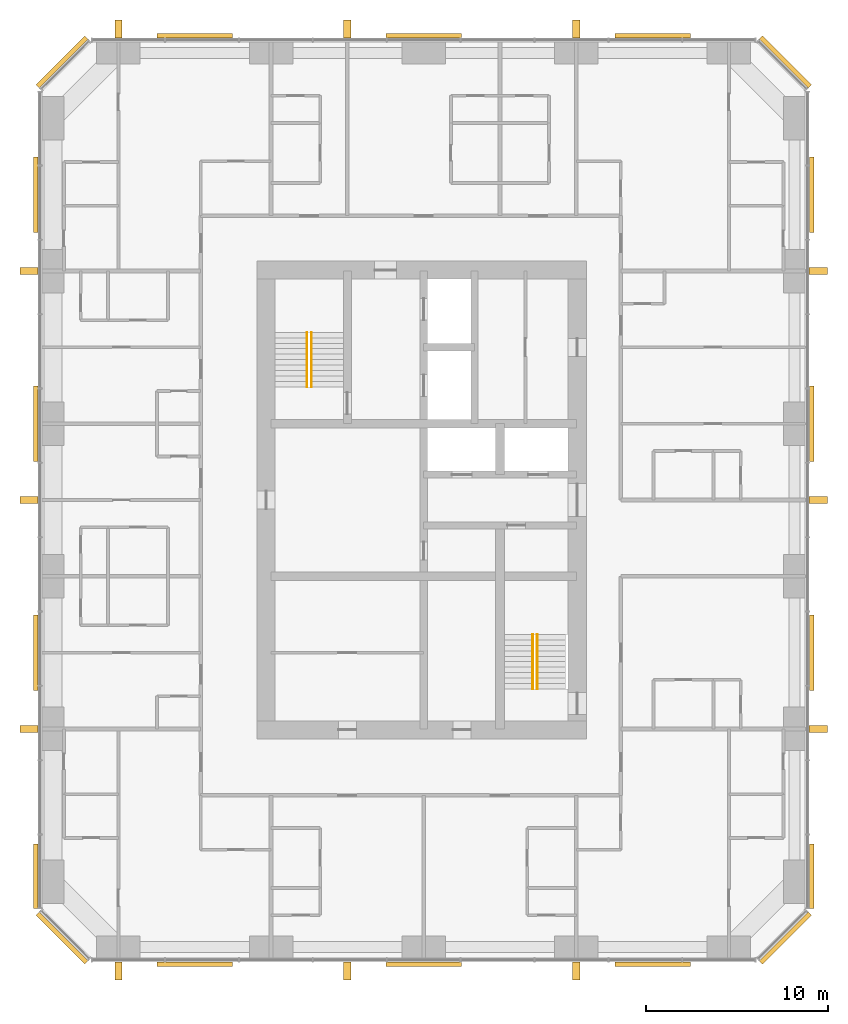
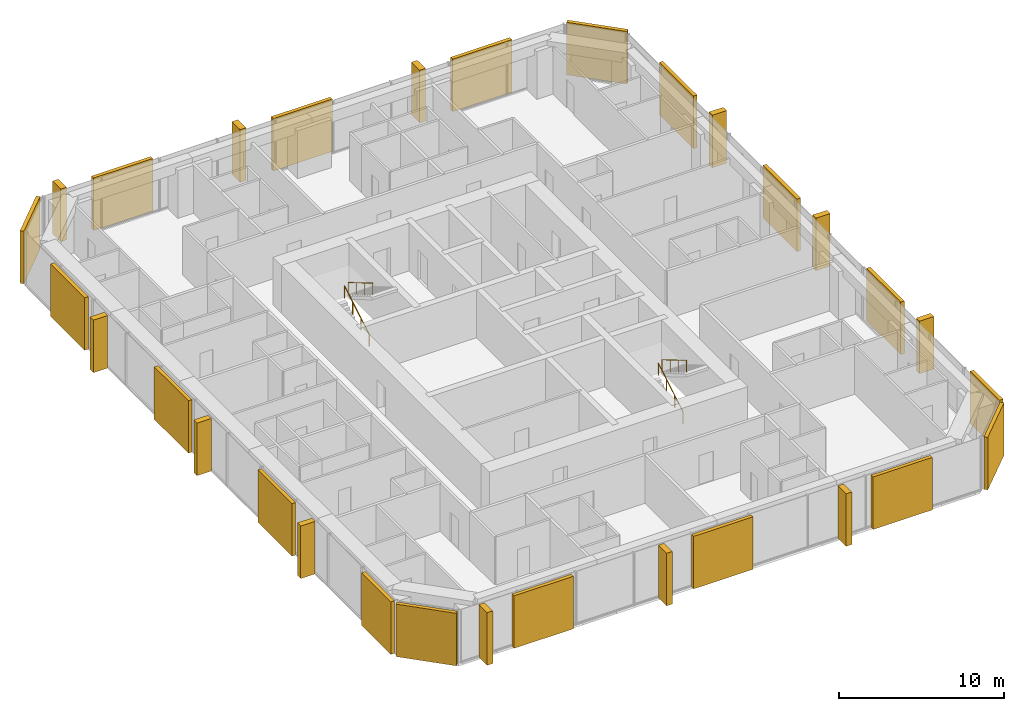
# One storey, part 12 of 12: 18 coverings, 12 shading devices, 4 railings.
"""IFC4 building model written with IfcOpenShell, lengths in metres."""

from ifc_helpers import new_model, si_unit, direction, frame, origin, origin_2d, place, context, subcontext, project, spatial, rectangle, circle, extrude, material, layer, layer_set, type_object, element, save


model = new_model("IFC4")

# Units and contexts
model_context = context("Model", 3, precision=1e-05, world=origin(), true_north=direction((0.0, 1.0)))
body_context = subcontext(model_context, "Body", "Model", "MODEL_VIEW")
ifc_project = project(units=[si_unit("LENGTHUNIT", "METRE"), si_unit("AREAUNIT", "SQUARE_METRE"), si_unit("VOLUMEUNIT", "CUBIC_METRE"), si_unit("PLANEANGLEUNIT", "RADIAN"), si_unit("MASSUNIT", "GRAM", prefix="KILO")], contexts=[model_context])

# Site, building, storey
site_placement = place(None, origin())
site = spatial("IfcSite", under=ifc_project, at=site_placement, CompositionType="ELEMENT")
building_placement = place(site_placement, origin())
building = spatial("IfcBuilding", under=site, at=building_placement, Name="Dunama Terrace Hotel", CompositionType="ELEMENT")
storey_placement = place(building_placement, frame((0.0, 0.0, 229.5)))
storey = spatial("IfcBuildingStorey", under=building, at=storey_placement, Name="L59", CompositionType="ELEMENT", Elevation=229.5)

# Railings
ifc_material_1 = material(Name="Stainless steel handrail", Category="steel")
railing_type = type_object("IfcRailingType", Name="Stair handrail 900", PredefinedType="HANDRAIL", material=ifc_material_1)
railing_1_placement = place(storey_placement, frame((27.175048828125, 35.625, 0.17724609375)))
element("IfcRailing", 1, at=railing_1_placement, inside=storey, type_object=railing_type, Name="Handrail ST1 L59", PredefinedType="HANDRAIL", context=body_context, shape_type="SweptSolid", body=[
    extrude(circle(Radius=0.02392578125, at=origin_2d()), frame((0.0, 0.0, 0.8759765625), z_axis=(0.0, 0.86092931783, 0.508724591208), x_axis=(-1.0, 0.0, 0.0)), (0.0, 0.0, 1.0), 3.484619140625),
    extrude(circle(Radius=0.02099609375, at=origin_2d()), origin(), (0.0, 0.0, 1.0), 0.851806640625),
    extrude(circle(Radius=0.02099609375, at=origin_2d()), frame((0.0, 1.0, 0.5908203125)), (0.0, 0.0, 1.0), 0.851806640625),
    extrude(circle(Radius=0.02099609375, at=origin_2d()), frame((0.0, 2.0, 1.181884765625)), (0.0, 0.0, 1.0), 0.851806640625),
    extrude(circle(Radius=0.02099609375, at=origin_2d()), frame((0.0, 3.0, 1.772705078125)), (0.0, 0.0, 1.0), 0.851806640625),
])
railing_2_placement = place(storey_placement, frame((27.425048828125, 38.625, 2.127197265625)))
element("IfcRailing", 2, at=railing_2_placement, inside=storey, type_object=railing_type, Name="Handrail ST1 L59", PredefinedType="HANDRAIL", context=body_context, shape_type="SweptSolid", body=[
    extrude(circle(Radius=0.02392578125, at=origin_2d()), frame((0.0, 0.0, 0.8759765625), z_axis=(0.0, -0.86092931783, 0.508724591208), x_axis=(1.0, 0.0, 0.0)), (0.0, 0.0, 1.0), 3.484619140625),
    extrude(circle(Radius=0.02099609375, at=origin_2d()), origin(), (0.0, 0.0, 1.0), 0.851806640625),
    extrude(circle(Radius=0.02099609375, at=origin_2d()), frame((0.0, -1.0, 0.5908203125)), (0.0, 0.0, 1.0), 0.851806640625),
    extrude(circle(Radius=0.02099609375, at=origin_2d()), frame((0.0, -2.0, 1.181884765625)), (0.0, 0.0, 1.0), 0.851806640625),
    extrude(circle(Radius=0.02099609375, at=origin_2d()), frame((0.0, -3.0, 1.772705078125)), (0.0, 0.0, 1.0), 0.851806640625),
])
railing_3_placement = place(storey_placement, frame((39.60009765625, 19.0, 0.17724609375)))
element("IfcRailing", 3, at=railing_3_placement, inside=storey, type_object=railing_type, Name="Handrail ST2 L59", PredefinedType="HANDRAIL", context=body_context, shape_type="SweptSolid", body=[
    extrude(circle(Radius=0.02392578125, at=origin_2d()), frame((0.0, 0.0, 0.8759765625), z_axis=(0.0, 0.86092931783, 0.508724591208), x_axis=(-1.0, 0.0, 0.0)), (0.0, 0.0, 1.0), 3.484619140625),
    extrude(circle(Radius=0.02099609375, at=origin_2d()), origin(), (0.0, 0.0, 1.0), 0.851806640625),
    extrude(circle(Radius=0.02099609375, at=origin_2d()), frame((0.0, 1.0, 0.5908203125)), (0.0, 0.0, 1.0), 0.851806640625),
    extrude(circle(Radius=0.02099609375, at=origin_2d()), frame((0.0, 2.0, 1.181884765625)), (0.0, 0.0, 1.0), 0.851806640625),
    extrude(circle(Radius=0.02099609375, at=origin_2d()), frame((0.0, 3.0, 1.772705078125)), (0.0, 0.0, 1.0), 0.851806640625),
])
railing_4_placement = place(storey_placement, frame((39.85009765625, 22.0, 2.127197265625)))
element("IfcRailing", 4, at=railing_4_placement, inside=storey, type_object=railing_type, Name="Handrail ST2 L59", PredefinedType="HANDRAIL", context=body_context, shape_type="SweptSolid", body=[
    extrude(circle(Radius=0.02392578125, at=origin_2d()), frame((0.0, 0.0, 0.8759765625), z_axis=(0.0, -0.86092931783, 0.508724591208), x_axis=(1.0, 0.0, 0.0)), (0.0, 0.0, 1.0), 3.484619140625),
    extrude(circle(Radius=0.02099609375, at=origin_2d()), origin(), (0.0, 0.0, 1.0), 0.851806640625),
    extrude(circle(Radius=0.02099609375, at=origin_2d()), frame((0.0, -1.0, 0.5908203125)), (0.0, 0.0, 1.0), 0.851806640625),
    extrude(circle(Radius=0.02099609375, at=origin_2d()), frame((0.0, -2.0, 1.181884765625)), (0.0, 0.0, 1.0), 0.851806640625),
    extrude(circle(Radius=0.02099609375, at=origin_2d()), frame((0.0, -3.0, 1.772705078125)), (0.0, 0.0, 1.0), 0.851806640625),
])

# Coverings
ifc_material_2 = material(Name="Warm reconstituted stone panel", Category="masonry")
ifc_layer_1 = layer(ifc_material_2, 0.25)
ifc_layer_set_1 = layer_set([ifc_layer_1], Name="Stone diagonal panel")
covering_type = type_object("IfcCoveringType", Name="Stone diagonal panel", PredefinedType="CLADDING", material=ifc_layer_set_1)
for number, where, z_axis, x_axis, name in (
    (5, (21.0, 3.8369140625, 0.001953125), (0.0, 0.0, 1.0), (1.0, 0.0, 0.0), "Stone diagonal panel L59"),
    (6, (33.60009765625, 3.8369140625, 0.001953125), (0.0, 0.0, 1.0), (1.0, 0.0, 0.0), "Stone diagonal panel L59"),
    (7, (46.199951171875, 3.8369140625, 0.001953125), (0.0, 0.0, 1.0), (1.0, 0.0, 0.0), "Stone diagonal panel L59"),
):
    element("IfcCovering", number, at=place(storey_placement, frame(where, z_axis=z_axis, x_axis=x_axis)), inside=storey, type_object=covering_type, Name=name, PredefinedType="CLADDING", context=body_context, shape_type="SweptSolid", body=[
        extrude(rectangle(XDim=4.14990234375, YDim=0.25, at=origin_2d()), origin(), (0.0, 0.0, 1.0), 3.89599609375),
    ])
covering_1_placement = place(storey_placement, frame((53.507080078125, 5.29296875, 0.001953125), z_axis=(0.0, 0.0, 1.0), x_axis=(0.707106781187, 0.707106781187, 0.0)))
element("IfcCovering", 8, at=covering_1_placement, inside=storey, type_object=covering_type, Name="Stone diagonal panel L59", PredefinedType="CLADDING", context=body_context, shape_type="SweptSolid", body=[
    extrude(rectangle(XDim=3.808349609375, YDim=0.25, at=origin_2d()), origin(), (0.0, 0.0, 1.0), 3.89599609375),
])
covering_2_placement = place(storey_placement, frame((54.962890625, 8.68994140625, 0.001953125), z_axis=(0.0, 0.0, 1.0), x_axis=(0.0, 1.0, 0.0)))
element("IfcCovering", 9, at=covering_2_placement, inside=storey, type_object=covering_type, Name="Stone diagonal panel L59", PredefinedType="CLADDING", context=body_context, shape_type="SweptSolid", body=[
    extrude(rectangle(XDim=3.570068359375, YDim=0.25, at=origin_2d()), origin(), (0.0, 0.0, 1.0), 3.89599609375),
])
for number, where, z_axis, x_axis, name in (
    (10, (54.962890625, 21.0, 0.001953125), (0.0, 0.0, 1.0), (0.0, 1.0, 0.0), "Stone diagonal panel L59"),
    (11, (54.962890625, 33.60009765625, 0.001953125), (0.0, 0.0, 1.0), (0.0, 1.0, 0.0), "Stone diagonal panel L59"),
    (12, (54.962890625, 46.199951171875, 0.001953125), (0.0, 0.0, 1.0), (0.0, 1.0, 0.0), "Stone diagonal panel L59"),
):
    element("IfcCovering", number, at=place(storey_placement, frame(where, z_axis=z_axis, x_axis=x_axis)), inside=storey, type_object=covering_type, Name=name, PredefinedType="CLADDING", context=body_context, shape_type="SweptSolid", body=[
        extrude(rectangle(XDim=4.14990234375, YDim=0.25, at=origin_2d()), origin(), (0.0, 0.0, 1.0), 3.89599609375),
    ])
covering_3_placement = place(storey_placement, frame((53.507080078125, 53.507080078125, 0.001953125), z_axis=(0.0, 0.0, 1.0), x_axis=(-0.707106781187, 0.707106781187, 0.0)))
element("IfcCovering", 13, at=covering_3_placement, inside=storey, type_object=covering_type, Name="Stone diagonal panel L59", PredefinedType="CLADDING", context=body_context, shape_type="SweptSolid", body=[
    extrude(rectangle(XDim=3.808349609375, YDim=0.25, at=origin_2d()), origin(), (0.0, 0.0, 1.0), 3.89599609375),
])
for number, where, z_axis, x_axis, name in (
    (14, (46.199951171875, 54.962890625, 0.001953125), (0.0, 0.0, 1.0), (-1.0, 0.0, 0.0), "Stone diagonal panel L59"),
    (15, (33.60009765625, 54.962890625, 0.001953125), (0.0, 0.0, 1.0), (-1.0, 0.0, 0.0), "Stone diagonal panel L59"),
    (16, (21.0, 54.962890625, 0.001953125), (0.0, 0.0, 1.0), (-1.0, 0.0, 0.0), "Stone diagonal panel L59"),
):
    element("IfcCovering", number, at=place(storey_placement, frame(where, z_axis=z_axis, x_axis=x_axis)), inside=storey, type_object=covering_type, Name=name, PredefinedType="CLADDING", context=body_context, shape_type="SweptSolid", body=[
        extrude(rectangle(XDim=4.14990234375, YDim=0.25, at=origin_2d()), origin(), (0.0, 0.0, 1.0), 3.89599609375),
    ])
covering_4_placement = place(storey_placement, frame((13.693115234375, 53.507080078125, 0.001953125), z_axis=(0.0, 0.0, 1.0), x_axis=(-0.707106781187, -0.707106781187, 0.0)))
element("IfcCovering", 17, at=covering_4_placement, inside=storey, type_object=covering_type, Name="Stone diagonal panel L59", PredefinedType="CLADDING", context=body_context, shape_type="SweptSolid", body=[
    extrude(rectangle(XDim=3.808349609375, YDim=0.25, at=origin_2d()), origin(), (0.0, 0.0, 1.0), 3.89599609375),
])
for number, where, z_axis, x_axis, name in (
    (18, (12.237060546875, 46.199951171875, 0.001953125), (0.0, 0.0, 1.0), (0.0, -1.0, 0.0), "Stone diagonal panel L59"),
    (19, (12.237060546875, 33.60009765625, 0.001953125), (0.0, 0.0, 1.0), (0.0, -1.0, 0.0), "Stone diagonal panel L59"),
    (20, (12.237060546875, 21.0, 0.001953125), (0.0, 0.0, 1.0), (0.0, -1.0, 0.0), "Stone diagonal panel L59"),
):
    element("IfcCovering", number, at=place(storey_placement, frame(where, z_axis=z_axis, x_axis=x_axis)), inside=storey, type_object=covering_type, Name=name, PredefinedType="CLADDING", context=body_context, shape_type="SweptSolid", body=[
        extrude(rectangle(XDim=4.14990234375, YDim=0.25, at=origin_2d()), origin(), (0.0, 0.0, 1.0), 3.89599609375),
    ])
covering_5_placement = place(storey_placement, frame((12.237060546875, 8.68994140625, 0.001953125), z_axis=(0.0, 0.0, 1.0), x_axis=(0.0, -1.0, 0.0)))
element("IfcCovering", 21, at=covering_5_placement, inside=storey, type_object=covering_type, Name="Stone diagonal panel L59", PredefinedType="CLADDING", context=body_context, shape_type="SweptSolid", body=[
    extrude(rectangle(XDim=3.570068359375, YDim=0.25, at=origin_2d()), origin(), (0.0, 0.0, 1.0), 3.89599609375),
])
covering_6_placement = place(storey_placement, frame((13.693115234375, 5.29296875, 0.001953125), z_axis=(0.0, 0.0, 1.0), x_axis=(0.707106781187, -0.707106781187, 0.0)))
element("IfcCovering", 22, at=covering_6_placement, inside=storey, type_object=covering_type, Name="Stone diagonal panel L59", PredefinedType="CLADDING", context=body_context, shape_type="SweptSolid", body=[
    extrude(rectangle(XDim=3.808349609375, YDim=0.25, at=origin_2d()), origin(), (0.0, 0.0, 1.0), 3.89599609375),
])

# Shading devices
ifc_material_3 = material(Name="Warm reconstituted stone fin", Category="masonry")
ifc_layer_2 = layer(ifc_material_3, 0.39990234375)
ifc_layer_set_2 = layer_set([ifc_layer_2], Name="Warm stone fin 400x1000")
shading_device_type = type_object("IfcShadingDeviceType", Name="Warm stone fin 400x1000", PredefinedType="USERDEFINED", material=ifc_layer_set_2)
for number, where, z_axis, x_axis, name in (
    (23, (16.800048828125, 3.48193359375, 0.0), (0.0, 0.0, 1.0), (1.0, 0.0, 0.0), "Stone fin"),
    (24, (29.39990234375, 3.48193359375, 0.0), (0.0, 0.0, 1.0), (1.0, 0.0, 0.0), "Stone fin"),
    (25, (42.0, 3.48193359375, 0.0), (0.0, 0.0, 1.0), (1.0, 0.0, 0.0), "Stone fin"),
    (26, (55.318115234375, 16.800048828125, 0.0), (0.0, 0.0, 1.0), (0.0, 1.0, 0.0), "Stone fin"),
    (27, (55.318115234375, 29.39990234375, 0.0), (0.0, 0.0, 1.0), (0.0, 1.0, 0.0), "Stone fin"),
    (28, (55.318115234375, 42.0, 0.0), (0.0, 0.0, 1.0), (0.0, 1.0, 0.0), "Stone fin"),
    (29, (42.0, 55.318115234375, 0.0), (0.0, 0.0, 1.0), (-1.0, 0.0, 0.0), "Stone fin"),
    (30, (29.39990234375, 55.318115234375, 0.0), (0.0, 0.0, 1.0), (-1.0, 0.0, 0.0), "Stone fin"),
    (31, (16.800048828125, 55.318115234375, 0.0), (0.0, 0.0, 1.0), (-1.0, 0.0, 0.0), "Stone fin"),
    (32, (11.882080078125, 42.0, 0.0), (0.0, 0.0, 1.0), (0.0, -1.0, 0.0), "Stone fin"),
    (33, (11.882080078125, 29.39990234375, 0.0), (0.0, 0.0, 1.0), (0.0, -1.0, 0.0), "Stone fin"),
    (34, (11.882080078125, 16.800048828125, 0.0), (0.0, 0.0, 1.0), (0.0, -1.0, 0.0), "Stone fin"),
):
    element("IfcShadingDevice", number, at=place(storey_placement, frame(where, z_axis=z_axis, x_axis=x_axis)), inside=storey, type_object=shading_device_type, Name=name, ObjectType="FIN", PredefinedType="USERDEFINED", context=body_context, shape_type="SweptSolid", body=[
        extrude(rectangle(XDim=0.39990234375, YDim=1.0, at=origin_2d()), origin(), (0.0, 0.0, 1.0), 3.89990234375),
    ])

save(model, "model.ifc")
